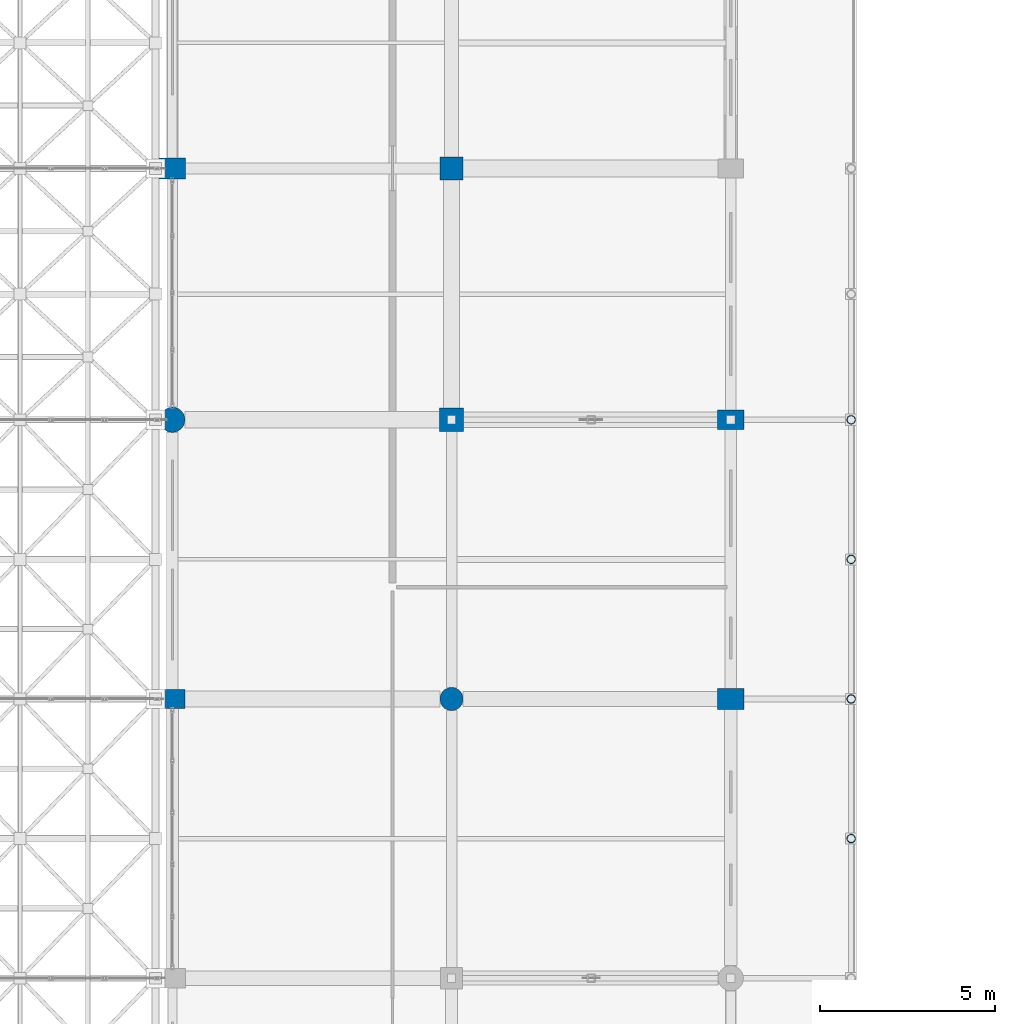
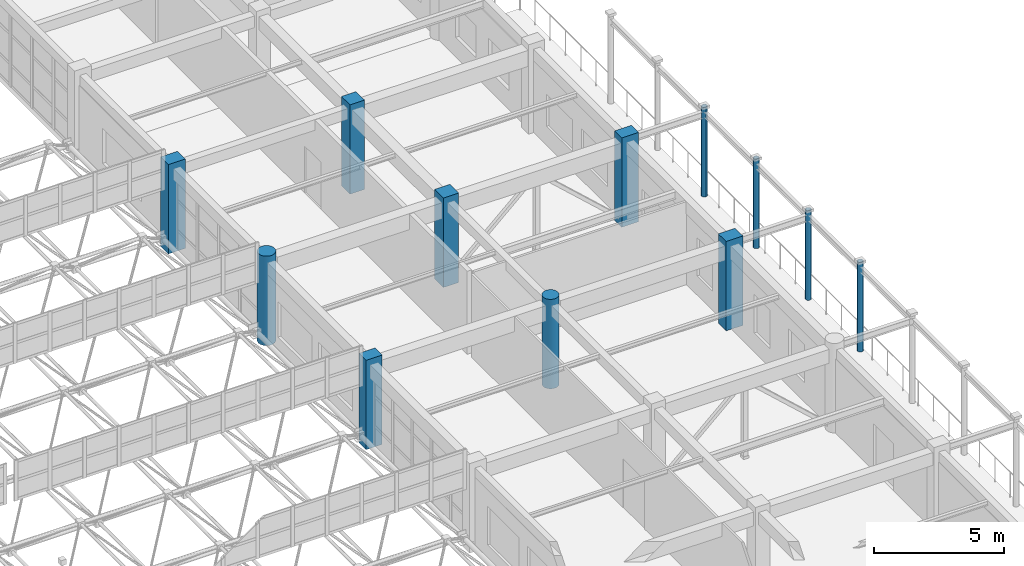
# One storey, part 12 of 195: 12 columns.
"""IFC4 building model written with IfcOpenShell, lengths in metres."""

from ifc_helpers import new_model, si_unit, direction, frame, origin, origin_2d, place, context, subcontext, project, spatial, rectangle, circle, hollow_circle, extrude, material, material_profile, profile_set, type_object, element, save


model = new_model("IFC4")

# Units and contexts
model_context = context("Model", 3, precision=1e-05, world=origin(), true_north=direction((0.0, 1.0)))
body_context = subcontext(model_context, "Body", "Model", "MODEL_VIEW")
ifc_project = project(units=[si_unit("LENGTHUNIT", "METRE"), si_unit("AREAUNIT", "SQUARE_METRE"), si_unit("VOLUMEUNIT", "CUBIC_METRE"), si_unit("PLANEANGLEUNIT", "RADIAN"), si_unit("MASSUNIT", "GRAM", prefix="KILO")], contexts=[model_context])

# Site, building, storey
site_placement = place(None, origin())
site = spatial("IfcSite", under=ifc_project, at=site_placement, CompositionType="ELEMENT")
building_placement = place(site_placement, origin())
building = spatial("IfcBuilding", under=site, at=building_placement, Name="Kharva Crest Polytechnic", CompositionType="ELEMENT")
storey_placement = place(building_placement, frame((0.0, 0.0, 9.0)))
storey = spatial("IfcBuildingStorey", under=building, at=storey_placement, Name="L02", CompositionType="ELEMENT", Elevation=9.0)

# Columns
ifc_material_1 = material(Name="Concrete C40/50", Category="concrete")
ifc_material_profile_1 = material_profile(ifc_material_1, rectangle(XDim=0.719970703125, YDim=0.550048828125, at=origin_2d()), Name="RECT 720 X 550")
ifc_profile_set_1 = profile_set([ifc_material_profile_1], Name="Concrete C40/50")
column_type_1 = type_object("IfcColumnType", Name="COL-EXT-720X550", PredefinedType="COLUMN", material=ifc_profile_set_1)
column_1_placement = place(storey_placement, frame((32.0, 70.800048828125, 0.0), z_axis=(0.0, 0.0, 1.0), x_axis=(1.0, 0.0, 0.0)))
element("IfcColumn", 1, at=column_1_placement, inside=storey, type_object=column_type_1, Name="L02 Column 5/K", PredefinedType="COLUMN", context=body_context, shape_type="SweptSolid", body=[
    extrude(rectangle(XDim=0.719970703125, YDim=0.550048828125, at=origin_2d()), origin(), (0.0, 0.0, 1.0), 4.199951171875),
])
ifc_material_profile_2 = material_profile(ifc_material_1, rectangle(XDim=0.75, YDim=0.550048828125, at=origin_2d()), Name="RECT 750 X 550")
ifc_profile_set_2 = profile_set([ifc_material_profile_2], Name="Concrete C40/50")
column_type_2 = type_object("IfcColumnType", Name="COL-EXT-750X550", PredefinedType="COLUMN", material=ifc_profile_set_2)
column_2_placement = place(storey_placement, frame((48.0, 78.800048828125, 0.0), z_axis=(0.0, 0.0, 1.0), x_axis=(1.0, 0.0, 0.0)))
element("IfcColumn", 2, at=column_2_placement, inside=storey, type_object=column_type_2, Name="L02 Column 7/L", PredefinedType="COLUMN", context=body_context, shape_type="SweptSolid", body=[
    extrude(rectangle(XDim=0.75, YDim=0.550048828125, at=origin_2d()), origin(), (0.0, 0.0, 1.0), 4.199951171875),
])
ifc_material_profile_3 = material_profile(ifc_material_1, rectangle(XDim=0.75, YDim=0.60009765625, at=origin_2d()), Name="RECT 750 X 600")
ifc_profile_set_3 = profile_set([ifc_material_profile_3], Name="Concrete C40/50")
column_type_3 = type_object("IfcColumnType", Name="COL-EXT-750X600", PredefinedType="COLUMN", material=ifc_profile_set_3)
for number, where, z_axis, x_axis, name in (
    (3, (32.0, 86.0, 0.0), (0.0, 0.0, 1.0), (1.0, 0.0, 0.0), "L02 Column 5/M"),
    (4, (48.0, 70.800048828125, 0.0), (0.0, 0.0, 1.0), (1.0, 0.0, 0.0), "L02 Column 7/K"),
):
    element("IfcColumn", number, at=place(storey_placement, frame(where, z_axis=z_axis, x_axis=x_axis)), inside=storey, type_object=column_type_3, Name=name, PredefinedType="COLUMN", context=body_context, shape_type="SweptSolid", body=[
        extrude(rectangle(XDim=0.75, YDim=0.60009765625, at=origin_2d()), origin(), (0.0, 0.0, 1.0), 4.199951171875),
    ])
ifc_material_profile_4 = material_profile(ifc_material_1, circle(Radius=0.360107421875, at=origin_2d()), Name="DIA 720")
ifc_profile_set_4 = profile_set([ifc_material_profile_4], Name="Concrete C40/50")
column_type_4 = type_object("IfcColumnType", Name="COL-EXT-DIA720", PredefinedType="COLUMN", material=ifc_profile_set_4)
column_3_placement = place(storey_placement, frame((32.0, 78.800048828125, 0.0), z_axis=(0.0, 0.0, 1.0), x_axis=(1.0, 0.0, 0.0)))
element("IfcColumn", 5, at=column_3_placement, inside=storey, type_object=column_type_4, Name="L02 Column 5/L", PredefinedType="COLUMN", context=body_context, shape_type="SweptSolid", body=[
    extrude(circle(Radius=0.360107421875, at=origin_2d()), origin(), (0.0, 0.0, 1.0), 4.199951171875),
])
ifc_material_profile_5 = material_profile(ifc_material_1, rectangle(XDim=0.64990234375, YDim=0.64990234375, at=origin_2d()), Name="RECT 650 X 650")
ifc_profile_set_5 = profile_set([ifc_material_profile_5], Name="Concrete C40/50")
column_type_5 = type_object("IfcColumnType", Name="COL-INT-650X650", PredefinedType="COLUMN", material=ifc_profile_set_5)
column_4_placement = place(storey_placement, frame((40.0, 86.0, 0.0), z_axis=(0.0, 0.0, 1.0), x_axis=(1.0, 0.0, 0.0)))
element("IfcColumn", 6, at=column_4_placement, inside=storey, type_object=column_type_5, Name="L02 Column 6/M", PredefinedType="COLUMN", context=body_context, shape_type="SweptSolid", body=[
    extrude(rectangle(XDim=0.64990234375, YDim=0.64990234375, at=origin_2d()), origin(), (0.0, 0.0, 1.0), 4.199951171875),
])
ifc_material_profile_6 = material_profile(ifc_material_1, rectangle(XDim=0.679931640625, YDim=0.679931640625, at=origin_2d()), Name="RECT 680 X 680")
ifc_profile_set_6 = profile_set([ifc_material_profile_6], Name="Concrete C40/50")
column_type_6 = type_object("IfcColumnType", Name="COL-INT-680X680", PredefinedType="COLUMN", material=ifc_profile_set_6)
column_5_placement = place(storey_placement, frame((40.0, 78.800048828125, 0.0), z_axis=(0.0, 0.0, 1.0), x_axis=(1.0, 0.0, 0.0)))
element("IfcColumn", 7, at=column_5_placement, inside=storey, type_object=column_type_6, Name="L02 Column 6/L", PredefinedType="COLUMN", context=body_context, shape_type="SweptSolid", body=[
    extrude(rectangle(XDim=0.679931640625, YDim=0.679931640625, at=origin_2d()), origin(), (0.0, 0.0, 1.0), 4.199951171875),
])
ifc_material_profile_7 = material_profile(ifc_material_1, circle(Radius=0.330078125, at=origin_2d()), Name="DIA 660")
ifc_profile_set_7 = profile_set([ifc_material_profile_7], Name="Concrete C40/50")
column_type_7 = type_object("IfcColumnType", Name="COL-INT-DIA660", PredefinedType="COLUMN", material=ifc_profile_set_7)
column_6_placement = place(storey_placement, frame((40.0, 70.800048828125, 0.0), z_axis=(0.0, 0.0, 1.0), x_axis=(1.0, 0.0, 0.0)))
element("IfcColumn", 8, at=column_6_placement, inside=storey, type_object=column_type_7, Name="L02 Column 6/K", PredefinedType="COLUMN", context=body_context, shape_type="SweptSolid", body=[
    extrude(circle(Radius=0.330078125, at=origin_2d()), origin(), (0.0, 0.0, 1.0), 4.199951171875),
])
ifc_material_2 = material(Name="Steel S355", Category="steel")
ifc_material_profile_8 = material_profile(ifc_material_2, hollow_circle(Radius=0.122314453125, WallThickness=0.010009765625, at=origin_2d()), Name="CHS 244.5X10.0")
ifc_profile_set_8 = profile_set([ifc_material_profile_8], Name="Steel S355")
column_type_8 = type_object("IfcColumnType", Name="COL-STL-CHS244", PredefinedType="COLUMN", material=ifc_profile_set_8)
for number, where, z_axis, x_axis, name in (
    (9, (51.449951171875, 70.800048828125, 0.0), (0.0, 0.0, 1.0), (1.0, 0.0, 0.0), "L02 Colonnade Column VW04"),
    (10, (51.449951171875, 78.800048828125, 0.0), (0.0, 0.0, 1.0), (1.0, 0.0, 0.0), "L02 Colonnade Column VW05"),
    (11, (51.449951171875, 66.800048828125, 0.0), (0.0, 0.0, 1.0), (1.0, 0.0, 0.0), "L02 Colonnade Mid Column VWM03"),
    (12, (51.449951171875, 74.800048828125, 0.0), (0.0, 0.0, 1.0), (1.0, 0.0, 0.0), "L02 Colonnade Mid Column VWM04"),
):
    element("IfcColumn", number, at=place(storey_placement, frame(where, z_axis=z_axis, x_axis=x_axis)), inside=storey, type_object=column_type_8, Name=name, PredefinedType="COLUMN", context=body_context, shape_type="SweptSolid", body=[
        extrude(hollow_circle(Radius=0.122314453125, WallThickness=0.010009765625, at=origin_2d()), origin(), (0.0, 0.0, 1.0), 4.199951171875),
    ])

save(model, "model.ifc")
